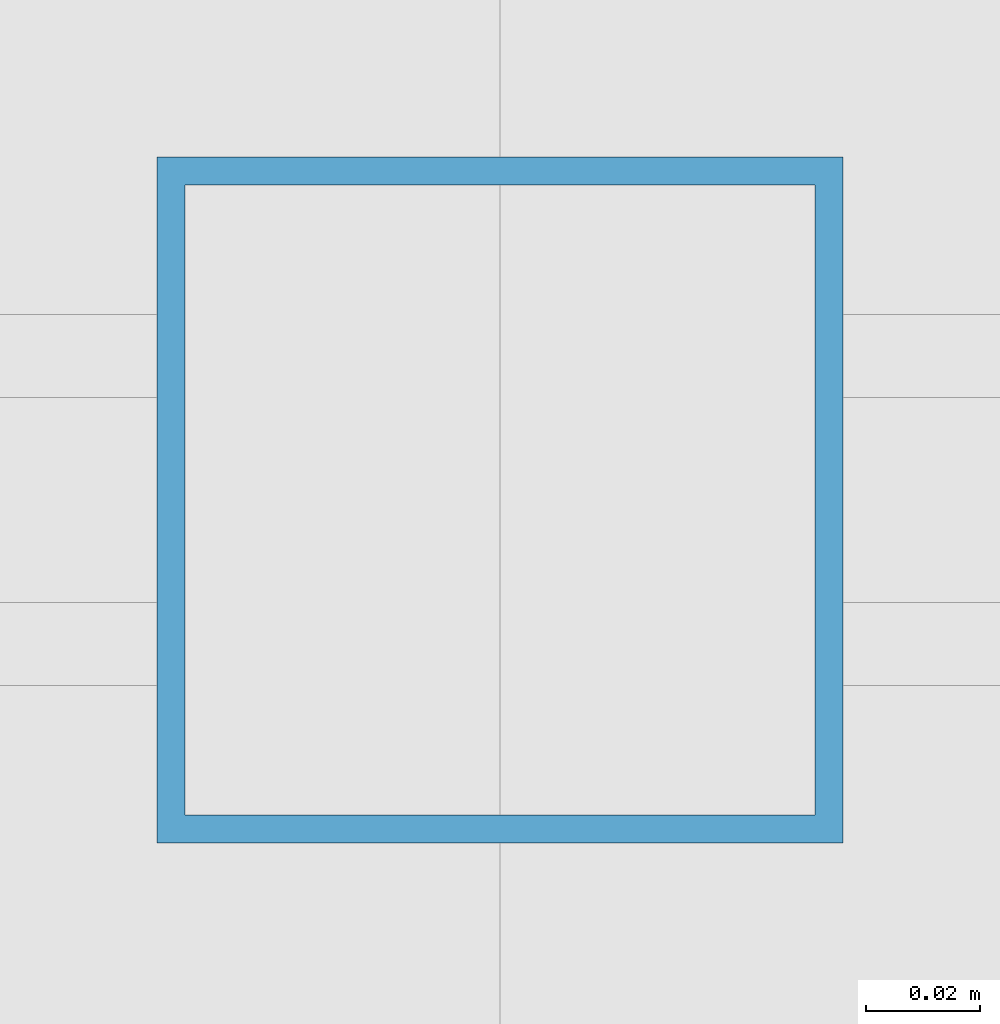
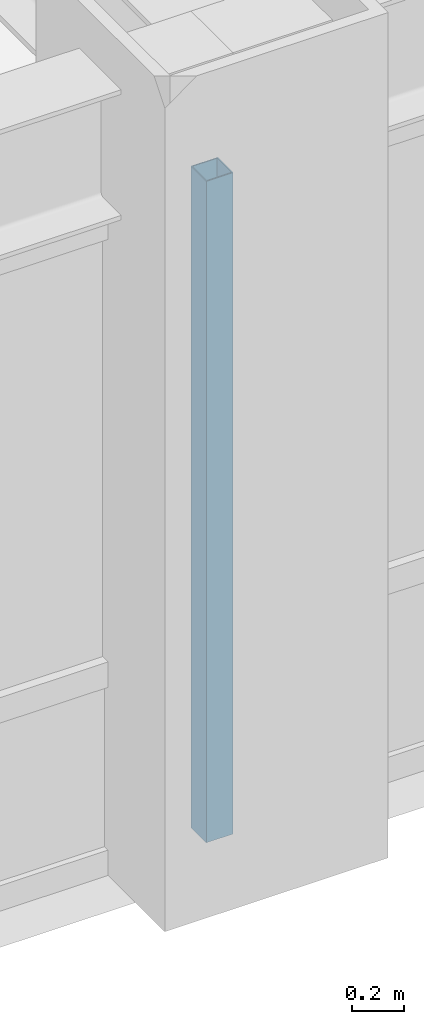
# One storey, part 4 of 24: 1 member, 1 element without a shape of its own.
"""IFC4 building model written with IfcOpenShell, lengths in metres."""

from ifc_helpers import new_model, si_unit, direction, frame, origin, origin_2d, place, context, subcontext, project, spatial, hollow_rectangle, extrude, source, transform, mapped, material, material_profile, profile_set, type_object, element, aggregate, save


model = new_model("IFC4")

# Units and contexts
model_context = context("Model", 3, precision=1e-05, world=origin(), true_north=direction((0.0, 1.0)))
body_context = subcontext(model_context, "Body", "Model", "MODEL_VIEW")
ifc_project = project(units=[si_unit("LENGTHUNIT", "METRE"), si_unit("AREAUNIT", "SQUARE_METRE"), si_unit("VOLUMEUNIT", "CUBIC_METRE"), si_unit("PLANEANGLEUNIT", "RADIAN"), si_unit("MASSUNIT", "GRAM", prefix="KILO")], contexts=[model_context])

# Site, building, storey
site_placement = place(None, origin())
site = spatial("IfcSite", under=ifc_project, at=site_placement, CompositionType="ELEMENT")
building_placement = place(site_placement, origin())
building = spatial("IfcBuilding", under=site, at=building_placement, Name="Khorayat Bourse Tower", CompositionType="ELEMENT")
storey_placement = place(building_placement, frame((0.0, 0.0, 215.10009765625)))
storey = spatial("IfcBuildingStorey", under=building, at=storey_placement, Name="L50", CompositionType="ELEMENT", Elevation=215.10009765625)

# Curtain wall, member
ifc_material = material(Name="Aluminium EN AW-6063 T6", Category="aluminium")
curtain_wall_type = type_object("IfcCurtainWallType", Name="CW-SYS-03", PredefinedType="NOTDEFINED", material=ifc_material)
curtain_wall_placement = place(storey_placement, origin())
curtain_wall = element("IfcCurtainWall", 1, at=curtain_wall_placement, inside=storey, type_object=curtain_wall_type, Name="L50 Curtain Wall CW-L50-S1", PredefinedType="NOTDEFINED")
ifc_material_profile = material_profile(ifc_material, hollow_rectangle(XDim=0.1201171875, YDim=0.1201171875, WallThickness=0.0048828125, at=origin_2d()), Name="ALU 120x120x5")
ifc_profile_set = profile_set([ifc_material_profile], Name="Aluminium EN AW-6063 T6")
member_type = type_object("IfcMemberType", Name="CWM-VERT-120", PredefinedType="MULLION", material=ifc_profile_set)
shared_shape = source(origin(), body_context, "Body", "SweptSolid", [
    extrude(hollow_rectangle(XDim=0.1201171875, YDim=0.1201171875, WallThickness=0.0048828125, at=origin_2d()), origin(), (0.0, 0.0, 1.0), 3.1298828125),
])
member_placement = place(storey_placement, frame((0.0, -30.0, 0.0), z_axis=(0.0, 0.0, 1.0), x_axis=(0.0, 1.0, 0.0)))
member = element("IfcMember", 2, at=member_placement, type_object=member_type, Name="CW-L50-S1 Vertical Mullion 2", PredefinedType="MULLION", context=body_context, shape_type="MappedRepresentation", body=[
    mapped(shared_shape, transform((0.0, 0.0, 0.0), scale=1.0)),
])
aggregate(curtain_wall, [member])

save(model, "model.ifc")
